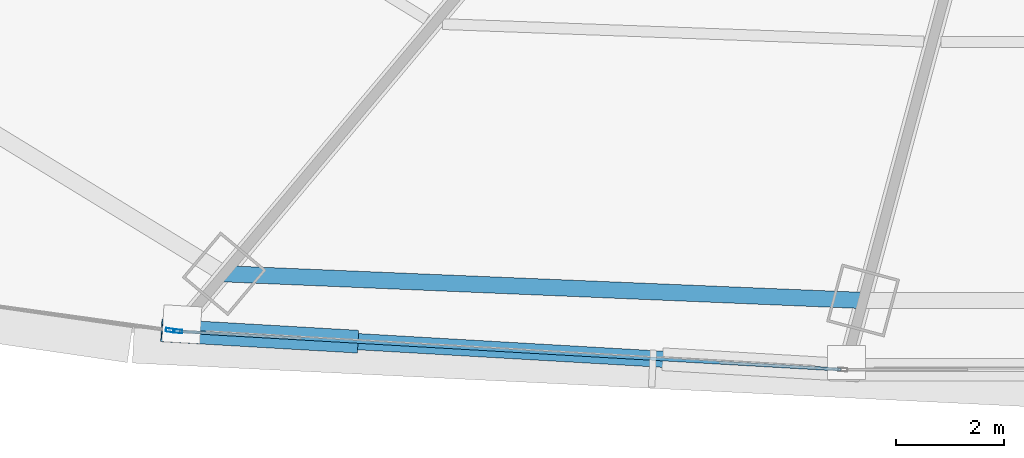
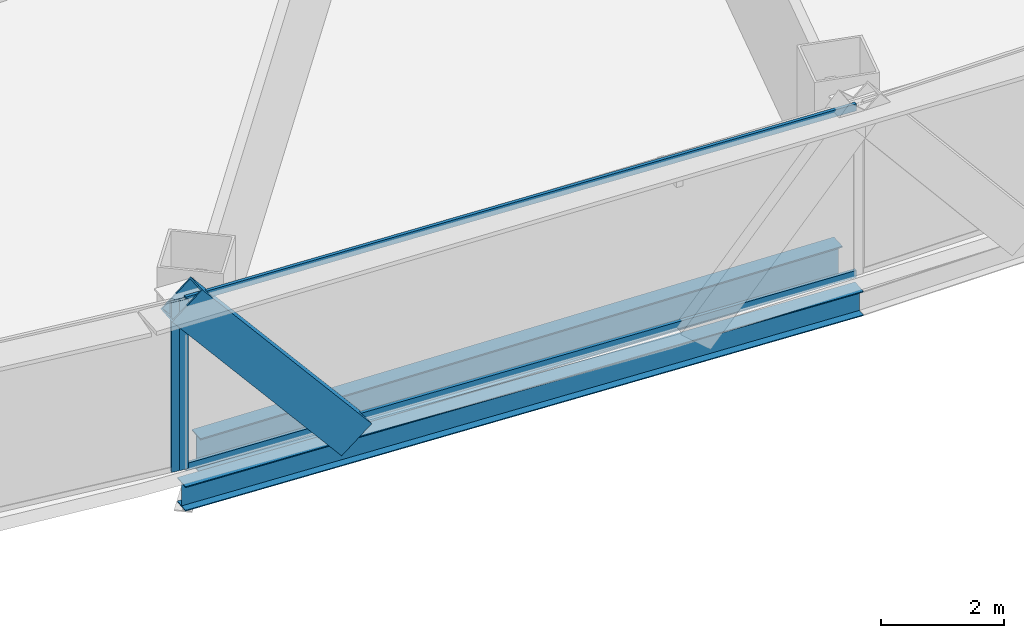
# One storey, part 6 of 37: 5 members, 2 beams, 2 elements without a shape of their own.
"""IFC4 building model written with IfcOpenShell, lengths in metres."""

from ifc_helpers import new_model, si_unit, direction, frame, origin, origin_2d, place, context, subcontext, project, spatial, hollow_rectangle, i_section, extrude, source, transform, mapped, material, layer, layer_set, material_profile, profile_set, type_object, element, aggregate, save


model = new_model("IFC4")

# Units and contexts
model_context = context("Model", 3, precision=1e-05, world=origin(), true_north=direction((0.0, 1.0)))
body_context = subcontext(model_context, "Body", "Model", "MODEL_VIEW")
ifc_project = project(units=[si_unit("LENGTHUNIT", "METRE"), si_unit("AREAUNIT", "SQUARE_METRE"), si_unit("VOLUMEUNIT", "CUBIC_METRE"), si_unit("PLANEANGLEUNIT", "RADIAN"), si_unit("MASSUNIT", "GRAM", prefix="KILO"), si_unit("THERMODYNAMICTEMPERATUREUNIT", "KELVIN"), si_unit("POWERUNIT", "WATT")], contexts=[model_context])

# Site, building, storey
site_placement = place(None, origin())
site = spatial("IfcSite", under=ifc_project, at=site_placement, CompositionType="ELEMENT")
building_placement = place(site_placement, origin())
building = spatial("IfcBuilding", under=site, at=building_placement, Name="Yunzhuo Pagoda Commons", CompositionType="ELEMENT")
storey_placement = place(building_placement, frame((0.0, 0.0, 59.43994140625)))
storey = spatial("IfcBuildingStorey", under=building, at=storey_placement, Name="L15", CompositionType="ELEMENT", Elevation=59.43994140625)

# Beams
ifc_material_1 = material(Name="Structural steel Q355B", Category="steel")
ifc_material_profile_1 = material_profile(ifc_material_1, i_section(OverallWidth=0.300048828125, OverallDepth=0.699951171875, WebThickness=0.012939453125, FlangeThickness=0.02392578125, at=origin_2d()), Name="Structural steel Q355B")
ifc_profile_set_1 = profile_set([ifc_material_profile_1], Name="Structural steel Q355B")
beam_type_1 = type_object("IfcBeamType", Name="B-RG1 Beam HN 700x300x13x24", PredefinedType="BEAM", material=ifc_profile_set_1)
shared_shape_1 = source(origin(), body_context, "Body", "SweptSolid", [
    extrude(i_section(OverallWidth=0.300048828125, OverallDepth=0.699951171875, WebThickness=0.012939453125, FlangeThickness=0.02392578125, at=origin_2d()), origin(), (0.0, 0.0, 1.0), 11.7900390625),
])
beam_1_placement = place(storey_placement, frame((30.5, 12.844482421875, -0.60986328125), z_axis=(0.99912739354, -0.041766631146, 0.0), x_axis=(0.041766631146, 0.99912739354, 0.0)))
element("IfcBeam", 1, at=beam_1_placement, inside=storey, type_object=beam_type_1, Name="L15 column-ring beam 1", PredefinedType="BEAM", context=body_context, shape_type="MappedRepresentation", body=[
    mapped(shared_shape_1, transform((0.0, 0.0, 0.0), scale=1.0)),
])
ifc_material_profile_2 = material_profile(ifc_material_1, i_section(OverallWidth=0.300048828125, OverallDepth=0.488037109375, WebThickness=0.010986328125, FlangeThickness=0.01806640625, at=origin_2d()), Name="Structural steel Q355B")
ifc_profile_set_2 = profile_set([ifc_material_profile_2], Name="Structural steel Q355B")
beam_type_2 = type_object("IfcBeamType", Name="B-SP1 Beam HM 488x300x11x18", PredefinedType="BEAM", material=ifc_profile_set_2)
shared_shape_2 = source(origin(), body_context, "Body", "SweptSolid", [
    extrude(i_section(OverallWidth=0.300048828125, OverallDepth=0.488037109375, WebThickness=0.010986328125, FlangeThickness=0.01806640625, at=origin_2d()), origin(), (0.0, 0.0, 1.0), 12.345703125),
])
beam_2_placement = place(storey_placement, frame((29.6123046875, 11.78662109375, -0.50390625), z_axis=(0.998336003237, -0.057664760824, 0.0), x_axis=(0.057664760824, 0.998336003237, 0.0)))
element("IfcBeam", 2, at=beam_2_placement, inside=storey, type_object=beam_type_2, Name="L15 facade edge spandrel beam F1.1", PredefinedType="BEAM", context=body_context, shape_type="MappedRepresentation", body=[
    mapped(shared_shape_2, transform((0.0, 0.0, 0.0), scale=1.0)),
])

# Member
ifc_material_2 = material(Name="Structural steel Q420B", Category="steel")
ifc_material_profile_3 = material_profile(ifc_material_2, hollow_rectangle(XDim=0.419921875, YDim=0.719970703125, WallThickness=0.028076171875, at=origin_2d()), Name="Structural steel Q420B")
ifc_profile_set_3 = profile_set([ifc_material_profile_3], Name="Structural steel Q420B")
member_type_1 = type_object("IfcMemberType", Name="M-DL1 Brace BOX 720x420x28", PredefinedType="BRACE", material=ifc_profile_set_3)
shared_shape_3 = source(origin(), body_context, "Body", "SweptSolid", [
    extrude(hollow_rectangle(XDim=0.419921875, YDim=0.719970703125, WallThickness=0.028076171875, at=origin_2d()), origin(), (0.0, 0.0, 1.0), 4.76513671875),
])
member_1_placement = place(storey_placement, frame((32.69384765625, 11.6083984375, -0.260009765625), z_axis=(-0.646699862533, 0.037402226244, 0.761826989067), x_axis=(-0.057739038851, -0.998331710101, 0.0)))
element("IfcMember", 3, at=member_1_placement, inside=storey, type_object=member_type_1, Name="L15 facade diamond brace F1.1L", PredefinedType="BRACE", context=body_context, shape_type="MappedRepresentation", body=[
    mapped(shared_shape_3, transform((0.0, 0.0, 0.0), scale=1.0)),
])

# Curtain wall, member
ifc_material_3 = material(Name="Anodized aluminium 6063-T6", Category="aluminium")
ifc_layer = layer(ifc_material_3, 0.1650390625)
ifc_layer_set = layer_set([ifc_layer], Name="Anodized aluminium 6063-T6")
curtain_wall_type = type_object("IfcCurtainWallType", Name="CW-LOW Low-Zone Ribbon Curtain Wall", PredefinedType="NOTDEFINED", material=ifc_layer_set)
curtain_wall_1_placement = place(storey_placement, origin())
curtain_wall_1 = element("IfcCurtainWall", 4, at=curtain_wall_1_placement, inside=storey, type_object=curtain_wall_type, Name="L15 curtain wall CW-L15-F1B2", PredefinedType="NOTDEFINED")
ifc_material_profile_4 = material_profile(ifc_material_3, hollow_rectangle(XDim=0.06494140625, YDim=0.1650390625, WallThickness=0.00390625, at=origin_2d()), Name="Anodized aluminium 6063-T6")
ifc_profile_set_4 = profile_set([ifc_material_profile_4], Name="Anodized aluminium 6063-T6")
member_type_2 = type_object("IfcMemberType", Name="CW-LOW-M Mullion RHS 165x65x4", PredefinedType="MULLION", material=ifc_profile_set_4)
shared_shape_4 = source(origin(), body_context, "Body", "SweptSolid", [
    extrude(hollow_rectangle(XDim=0.06494140625, YDim=0.1650390625, WallThickness=0.00390625, at=origin_2d()), origin(), (0.0, 0.0, 1.0), 3.3701171875),
])
member_2_placement = place(storey_placement, frame((29.644775390625, 11.78466796875, 0.0), z_axis=(0.0, 0.0, 1.0), x_axis=(0.057664069997, 0.998336043139, 0.0)))
member_2 = element("IfcMember", 5, at=member_2_placement, type_object=member_type_2, Name="CW mullion 1", PredefinedType="MULLION", context=body_context, shape_type="MappedRepresentation", body=[
    mapped(shared_shape_4, transform((0.0, 0.0, 0.0), scale=1.0)),
])

curtain_wall_2_placement = place(storey_placement, origin())
curtain_wall_2 = element("IfcCurtainWall", 6, at=curtain_wall_2_placement, inside=storey, type_object=curtain_wall_type, Name="L15 curtain wall CW-L15-F1B1", PredefinedType="NOTDEFINED")
member_3_placement = place(storey_placement, frame((29.505859375, 11.801513671875, 0.0), z_axis=(0.0, 0.0, 1.0), x_axis=(0.13790498569, 0.990445462871, 0.0)))
member_3 = element("IfcMember", 7, at=member_3_placement, type_object=member_type_2, Name="CW mullion 2", PredefinedType="MULLION", context=body_context, shape_type="MappedRepresentation", body=[
    mapped(shared_shape_4, transform((0.0, 0.0, 0.0), scale=1.0)),
])
aggregate(curtain_wall_2, [member_3])

# Member
ifc_material_profile_5 = material_profile(ifc_material_3, hollow_rectangle(XDim=0.06005859375, YDim=0.139892578125, WallThickness=0.00341796875, at=origin_2d()), Name="Anodized aluminium 6063-T6")
ifc_profile_set_5 = profile_set([ifc_material_profile_5], Name="Anodized aluminium 6063-T6")
member_type_3 = type_object("IfcMemberType", Name="CW-LOW-T Transom RHS 140x60x3.5", PredefinedType="USERDEFINED", material=ifc_profile_set_5)
shared_shape_5 = source(origin(), body_context, "Body", "SweptSolid", [
    extrude(hollow_rectangle(XDim=0.06005859375, YDim=0.139892578125, WallThickness=0.00341796875, at=origin_2d()), origin(), (0.0, 0.0, 1.0), 12.215576171875),
])
member_4_placement = place(storey_placement, frame((29.67724609375, 11.78271484375, 0.030029296875), z_axis=(0.998336315272, -0.057659358375, 0.0), x_axis=(0.057659358375, 0.998336315272, 0.0)))
member_4 = element("IfcMember", 8, at=member_4_placement, type_object=member_type_3, Name="CW transom 1.1", ObjectType="TRANSOM", PredefinedType="USERDEFINED", context=body_context, shape_type="MappedRepresentation", body=[
    mapped(shared_shape_5, transform((0.0, 0.0, 0.0), scale=1.0)),
])

member_5_placement = place(storey_placement, frame((29.67724609375, 11.78271484375, 3.340087890625), z_axis=(0.998336315272, -0.057659358375, 0.0), x_axis=(0.057659358375, 0.998336315272, 0.0)))
member_5 = element("IfcMember", 9, at=member_5_placement, type_object=member_type_3, Name="CW transom 1.2", ObjectType="TRANSOM", PredefinedType="USERDEFINED", context=body_context, shape_type="MappedRepresentation", body=[
    mapped(shared_shape_5, transform((0.0, 0.0, 0.0), scale=1.0)),
])

aggregate(curtain_wall_1, [member_2, member_4, member_5])

save(model, "model.ifc")
